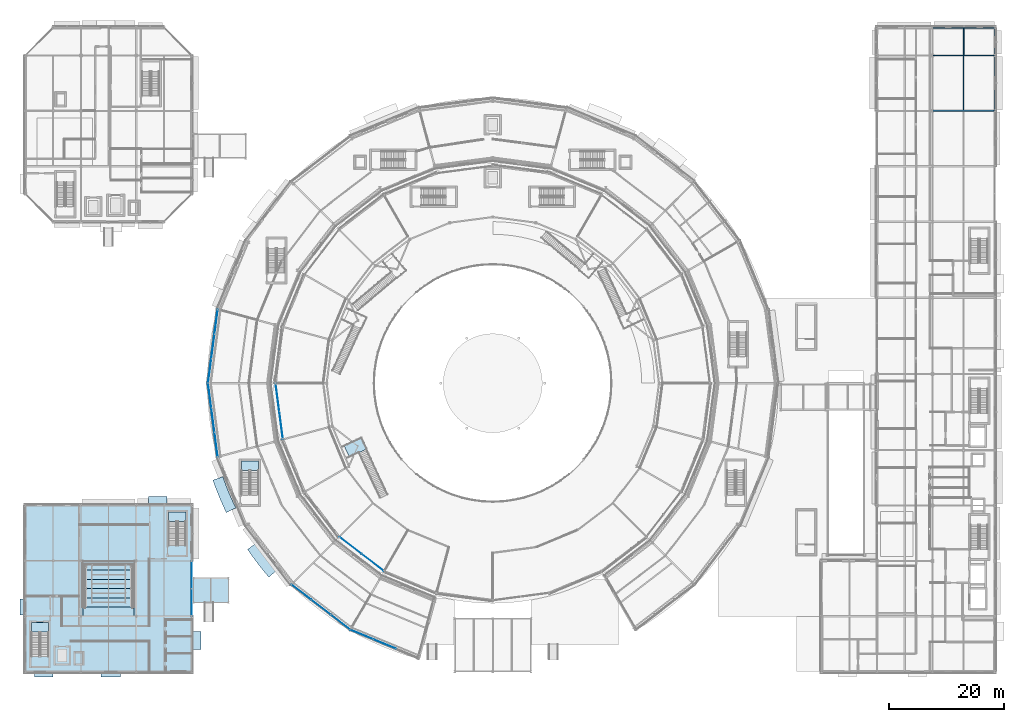
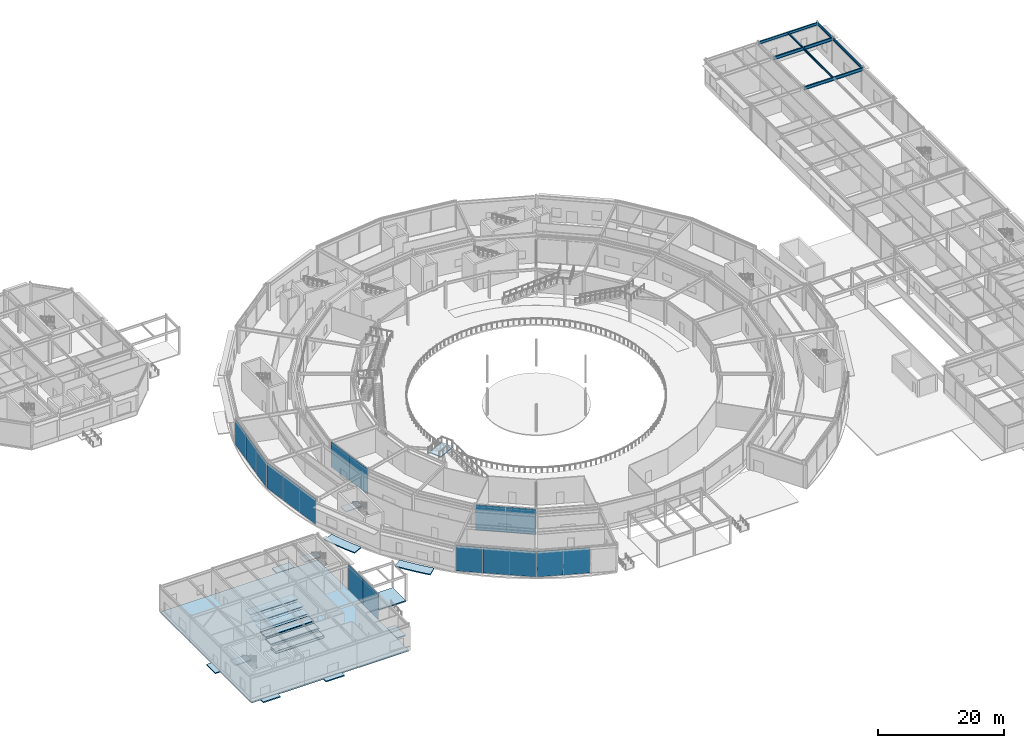
# One storey, part 111 of 168: 19 slabs, 17 plates, 7 beams, 11 elements without a shape of their own.
"""IFC4 building model written with IfcOpenShell, lengths in metres."""

from ifc_helpers import new_model, si_unit, direction, frame, origin, origin_2d, place, context, subcontext, project, spatial, polyline, rectangle, i_section, outline, extrude, material, layer, layer_set, material_profile, profile_set, type_object, element, aggregate, save


model = new_model("IFC4")

# Units and contexts
model_context = context("Model", 3, precision=1e-05, world=origin(), true_north=direction((0.0, 1.0)))
body_context = subcontext(model_context, "Body", "Model", "MODEL_VIEW")
ifc_project = project(units=[si_unit("LENGTHUNIT", "METRE"), si_unit("AREAUNIT", "SQUARE_METRE"), si_unit("VOLUMEUNIT", "CUBIC_METRE"), si_unit("PLANEANGLEUNIT", "RADIAN"), si_unit("MASSUNIT", "GRAM", prefix="KILO")], contexts=[model_context])

# Site, building, storey
site_placement = place(None, origin())
site = spatial("IfcSite", under=ifc_project, at=site_placement, CompositionType="ELEMENT")
building_placement = place(site_placement, origin())
building = spatial("IfcBuilding", under=site, at=building_placement, Name="Almandine Court Research Institute", CompositionType="ELEMENT")
storey_placement = place(building_placement, origin())
storey = spatial("IfcBuildingStorey", under=building, at=storey_placement, Name="L00", CompositionType="ELEMENT", Elevation=0.0)

# Beams
ifc_material_1 = material(Name="Steel ASTM A992 Grade 50", Category="steel")
ifc_material_profile_1 = material_profile(ifc_material_1, i_section(OverallWidth=0.178955078125, OverallDepth=0.409912109375, WebThickness=0.009033203125, FlangeThickness=0.013916015625, at=origin_2d()), Name="W410x67")
ifc_profile_set_1 = profile_set([ifc_material_profile_1], Name="Steel ASTM A992 Grade 50")
beam_type_1 = type_object("IfcBeamType", Name="Beam-B-02", PredefinedType="JOIST", material=ifc_profile_set_1)
beam_1_placement = place(storey_placement, frame((168.60009765625, 103.31298828125, 4.818115234375), z_axis=(0.0, 1.0, 0.0), x_axis=(-1.0, 0.0, 0.0)))
element("IfcBeam", 1, at=beam_1_placement, inside=storey, type_object=beam_type_1, Name="L00 V4 Composite Secondary Beam", PredefinedType="JOIST", context=body_context, shape_type="SweptSolid", body=[
    extrude(i_section(OverallWidth=0.178955078125, OverallDepth=0.409912109375, WebThickness=0.009033203125, FlangeThickness=0.013916015625, at=origin_2d()), origin(), (0.0, 0.0, 1.0), 9.3740234375),
])
ifc_material_profile_2 = material_profile(ifc_material_1, i_section(OverallWidth=0.172119140625, OverallDepth=0.35791015625, WebThickness=0.008056640625, FlangeThickness=0.012939453125, at=origin_2d()), Name="W360x57")
ifc_profile_set_2 = profile_set([ifc_material_profile_2], Name="Steel ASTM A992 Grade 50")
beam_type_2 = type_object("IfcBeamType", Name="Beam-B-03", PredefinedType="JOIST", material=ifc_profile_set_2)
beam_2_placement = place(storey_placement, frame((168.60009765625, 112.9130859375, 4.843994140625), z_axis=(0.0, 1.0, 0.0), x_axis=(-1.0, 0.0, 0.0)))
element("IfcBeam", 2, at=beam_2_placement, inside=storey, type_object=beam_type_2, Name="L00 V4 Composite Secondary Beam", PredefinedType="JOIST", context=body_context, shape_type="SweptSolid", body=[
    extrude(i_section(OverallWidth=0.172119140625, OverallDepth=0.35791015625, WebThickness=0.008056640625, FlangeThickness=0.012939453125, at=origin_2d()), origin(), (0.0, 0.0, 1.0), 4.60595703125),
])
ifc_material_profile_3 = material_profile(ifc_material_1, i_section(OverallWidth=0.22998046875, OverallDepth=0.616943359375, WebThickness=0.012939453125, FlangeThickness=0.02197265625, at=origin_2d()), Name="W610x140")
ifc_profile_set_3 = profile_set([ifc_material_profile_3], Name="Steel ASTM A992 Grade 50")
beam_type_3 = type_object("IfcBeamType", Name="Beam-G-02", PredefinedType="BEAM", material=ifc_profile_set_3)
for number, where, z_axis, x_axis, name in (
    (3, (163.199951171875, 103.199951171875, 4.715087890625), (1.0, 0.0, 0.0), (0.0, 1.0, 0.0), "L00 V4 Primary X Girder"),
    (4, (163.199951171875, 112.800048828125, 4.715087890625), (1.0, 0.0, 0.0), (0.0, 1.0, 0.0), "L00 V4 Primary X Girder"),
):
    element("IfcBeam", number, at=place(storey_placement, frame(where, z_axis=z_axis, x_axis=x_axis)), inside=storey, type_object=beam_type_3, Name=name, PredefinedType="BEAM", context=body_context, shape_type="SweptSolid", body=[
        extrude(i_section(OverallWidth=0.22998046875, OverallDepth=0.616943359375, WebThickness=0.012939453125, FlangeThickness=0.02197265625, at=origin_2d()), origin(), (0.0, 0.0, 1.0), 10.800048828125),
    ])
ifc_material_profile_4 = material_profile(ifc_material_1, i_section(OverallWidth=0.166015625, OverallDepth=0.534912109375, WebThickness=0.010009765625, FlangeThickness=0.01708984375, at=origin_2d()), Name="W530x85")
ifc_profile_set_4 = profile_set([ifc_material_profile_4], Name="Steel ASTM A992 Grade 50")
beam_type_4 = type_object("IfcBeamType", Name="Beam-G-05-E", PredefinedType="SPANDREL", material=ifc_profile_set_4)
beam_3_placement = place(storey_placement, frame((163.199951171875, 117.60009765625, 4.756103515625), z_axis=(1.0, 0.0, 0.0), x_axis=(0.0, 1.0, 0.0)))
element("IfcBeam", 5, at=beam_3_placement, inside=storey, type_object=beam_type_4, Name="L00 V4 Primary X Girder", PredefinedType="SPANDREL", context=body_context, shape_type="SweptSolid", body=[
    extrude(i_section(OverallWidth=0.166015625, OverallDepth=0.534912109375, WebThickness=0.010009765625, FlangeThickness=0.01708984375, at=origin_2d()), origin(), (0.0, 0.0, 1.0), 10.800048828125),
])
ifc_material_profile_5 = material_profile(ifc_material_1, i_section(OverallWidth=0.193115234375, OverallDepth=0.466064453125, WebThickness=0.010986328125, FlangeThickness=0.01904296875, at=origin_2d()), Name="W460x97")
ifc_profile_set_5 = profile_set([ifc_material_profile_5], Name="Steel ASTM A992 Grade 50")
beam_type_5 = type_object("IfcBeamType", Name="Beam-G-06-E", PredefinedType="SPANDREL", material=ifc_profile_set_5)
beam_4_placement = place(storey_placement, frame((174.0, 103.199951171875, 4.7900390625), z_axis=(0.0, 1.0, 0.0), x_axis=(-1.0, 0.0, 0.0)))
element("IfcBeam", 6, at=beam_4_placement, inside=storey, type_object=beam_type_5, Name="L00 V4 Primary Y Girder", PredefinedType="SPANDREL", context=body_context, shape_type="SweptSolid", body=[
    extrude(i_section(OverallWidth=0.193115234375, OverallDepth=0.466064453125, WebThickness=0.010986328125, FlangeThickness=0.01904296875, at=origin_2d()), origin(), (0.0, 0.0, 1.0), 9.60009765625),
])
beam_5_placement = place(storey_placement, frame((174.0, 112.800048828125, 4.7900390625), z_axis=(0.0, 1.0, 0.0), x_axis=(-1.0, 0.0, 0.0)))
element("IfcBeam", 7, at=beam_5_placement, inside=storey, type_object=beam_type_5, Name="L00 V4 Primary Y Girder", PredefinedType="SPANDREL", context=body_context, shape_type="SweptSolid", body=[
    extrude(i_section(OverallWidth=0.193115234375, OverallDepth=0.466064453125, WebThickness=0.010986328125, FlangeThickness=0.01904296875, at=origin_2d()), origin(), (0.0, 0.0, 1.0), 4.800048828125),
])

# Curtain wall, plates
ifc_material_2 = material(Name="Unitised Curtain Wall Framing and Solar Glazing", Category="glass")
curtain_wall_type_1 = type_object("IfcCurtainWallType", Name="CW-CWG-01", PredefinedType="USERDEFINED", material=ifc_material_2)
curtain_wall_1_placement = place(storey_placement, origin())
curtain_wall_1 = element("IfcCurtainWall", 8, at=curtain_wall_1_placement, inside=storey, type_object=curtain_wall_type_1, Name="L00 Lecture Foyer Courtyard Curtain Wall", ObjectType="UNITISED GLAZING", PredefinedType="USERDEFINED")
ifc_material_3 = material(Name="Double-Glazed Low-E Argon Insulated Glass", Category="glass")
ifc_layer_1 = layer(ifc_material_3, 0.028076171875)
ifc_layer_set_1 = layer_set([ifc_layer_1], Name="Double-Glazed Low-E Argon Insulated Glass")
plate_type_1 = type_object("IfcPlateType", Name="CWPnl-GLZ-28", PredefinedType="CURTAIN_PANEL", material=ifc_layer_set_1)
plate_1_placement = place(storey_placement, frame((34.800048828125, 22.782958984375, 0.06005859375), z_axis=(0.0, 0.0, 1.0), x_axis=(0.0, -1.0, 0.0)))
plate_1 = element("IfcPlate", 9, at=plate_1_placement, type_object=plate_type_1, Name="CWG-01 panel 1.1", PredefinedType="CURTAIN_PANEL", context=body_context, shape_type="SweptSolid", body=[
    extrude(rectangle(XDim=4.7060546875, YDim=0.028076171875, at=origin_2d()), origin(), (0.0, 0.0, 1.0), 4.949951171875),
])
plate_2_placement = place(storey_placement, frame((34.800048828125, 18.01708984375, 0.06005859375), z_axis=(0.0, 0.0, 1.0), x_axis=(0.0, -1.0, 0.0)))
plate_2 = element("IfcPlate", 10, at=plate_2_placement, type_object=plate_type_1, Name="CWG-01 panel 2.1", PredefinedType="CURTAIN_PANEL", context=body_context, shape_type="SweptSolid", body=[
    extrude(rectangle(XDim=4.7060546875, YDim=0.028076171875, at=origin_2d()), origin(), (0.0, 0.0, 1.0), 4.949951171875),
])
aggregate(curtain_wall_1, [plate_1, plate_2])

curtain_wall_type_2 = type_object("IfcCurtainWallType", Name="CW-CWG-18", PredefinedType="USERDEFINED", material=ifc_material_2)
curtain_wall_2_placement = place(storey_placement, origin())
curtain_wall_2 = element("IfcCurtainWall", 11, at=curtain_wall_2_placement, inside=storey, type_object=curtain_wall_type_2, Name="L00 Stacked-Ring Drum Outer Unitised Glazing 16", ObjectType="UNITISED GLAZING", PredefinedType="USERDEFINED")
plate_3_placement = place(storey_placement, frame((68.27197265625, 10.787109375, 0.06005859375), z_axis=(0.0, 0.0, 1.0), x_axis=(-0.923888124321, 0.382662689242, 0.0)))
plate_3 = element("IfcPlate", 12, at=plate_3_placement, type_object=plate_type_1, Name="CWG-18 panel 2.1", PredefinedType="CURTAIN_PANEL", context=body_context, shape_type="SweptSolid", body=[
    extrude(rectangle(XDim=4.232666015625, YDim=0.028076171875, at=origin_2d()), origin(), (0.0, 0.0, 1.0), 4.949951171875),
])
plate_4_placement = place(storey_placement, frame((64.31982421875, 12.423828125, 0.06005859375), z_axis=(0.0, 0.0, 1.0), x_axis=(-0.923888124321, 0.382662689242, 0.0)))
plate_4 = element("IfcPlate", 13, at=plate_4_placement, type_object=plate_type_1, Name="CWG-18 panel 3.1", PredefinedType="CURTAIN_PANEL", context=body_context, shape_type="SweptSolid", body=[
    extrude(rectangle(XDim=4.20263671875, YDim=0.028076171875, at=origin_2d()), origin(), (0.0, 0.0, 1.0), 4.949951171875),
])
aggregate(curtain_wall_2, [plate_3, plate_4])

curtain_wall_type_3 = type_object("IfcCurtainWallType", Name="CW-CWG-23", PredefinedType="USERDEFINED", material=ifc_material_2)
curtain_wall_3_placement = place(storey_placement, origin())
curtain_wall_3 = element("IfcCurtainWall", 14, at=curtain_wall_3_placement, inside=storey, type_object=curtain_wall_type_3, Name="L00 Interaction Atrium Perimeter Curtain Wall 12", ObjectType="UNITISED GLAZING", PredefinedType="USERDEFINED")
plate_5_placement = place(storey_placement, frame((50.3095703125, 48.7080078125, 0.06005859375), z_axis=(0.0, 0.0, 1.0), x_axis=(-0.130536164028, 0.991443548509, 0.0)))
plate_5 = element("IfcPlate", 15, at=plate_5_placement, type_object=plate_type_1, Name="CWG-23 panel 1.1", PredefinedType="CURTAIN_PANEL", context=body_context, shape_type="SweptSolid", body=[
    extrude(rectangle(XDim=4.820556640625, YDim=0.028076171875, at=origin_2d()), origin(), (0.0, 0.0, 1.0), 4.949951171875),
])
plate_6_placement = place(storey_placement, frame((49.67236328125, 53.546875, 0.06005859375), z_axis=(0.0, 0.0, 1.0), x_axis=(-0.130536164028, 0.991443548509, 0.0)))
plate_6 = element("IfcPlate", 16, at=plate_6_placement, type_object=plate_type_1, Name="CWG-23 panel 2.1", PredefinedType="CURTAIN_PANEL", context=body_context, shape_type="SweptSolid", body=[
    extrude(rectangle(XDim=4.820556640625, YDim=0.028076171875, at=origin_2d()), origin(), (0.0, 0.0, 1.0), 4.949951171875),
])
aggregate(curtain_wall_3, [plate_5, plate_6])

curtain_wall_4_placement = place(storey_placement, origin())
curtain_wall_4 = element("IfcCurtainWall", 17, at=curtain_wall_4_placement, inside=storey, type_object=curtain_wall_type_3, Name="L00 Interaction Atrium Perimeter Curtain Wall 15", ObjectType="UNITISED GLAZING", PredefinedType="USERDEFINED")
plate_7_placement = place(storey_placement, frame((66.212158203125, 24.89990234375, 0.06005859375), z_axis=(0.0, 0.0, 1.0), x_axis=(-0.793353924979, 0.608760667029, 0.0)))
plate_7 = element("IfcPlate", 18, at=plate_7_placement, type_object=plate_type_1, Name="CWG-23 panel 1.1", PredefinedType="CURTAIN_PANEL", context=body_context, shape_type="SweptSolid", body=[
    extrude(rectangle(XDim=4.82080078125, YDim=0.028076171875, at=origin_2d()), origin(), (0.0, 0.0, 1.0), 4.949951171875),
])
plate_8_placement = place(storey_placement, frame((62.33984375, 27.87109375, 0.06005859375), z_axis=(0.0, 0.0, 1.0), x_axis=(-0.793353924979, 0.608760667029, 0.0)))
plate_8 = element("IfcPlate", 19, at=plate_8_placement, type_object=plate_type_1, Name="CWG-23 panel 2.1", PredefinedType="CURTAIN_PANEL", context=body_context, shape_type="SweptSolid", body=[
    extrude(rectangle(XDim=4.82080078125, YDim=0.028076171875, at=origin_2d()), origin(), (0.0, 0.0, 1.0), 4.949951171875),
])
aggregate(curtain_wall_4, [plate_7, plate_8])

curtain_wall_type_4 = type_object("IfcCurtainWallType", Name="CW-CWJ-17", PredefinedType="USERDEFINED", material=ifc_material_2)
curtain_wall_5_placement = place(storey_placement, origin())
curtain_wall_5 = element("IfcCurtainWall", 20, at=curtain_wall_5_placement, inside=storey, type_object=curtain_wall_type_4, Name="L00 Stacked-Ring Drum Outer Solar Jali Screen 11", ObjectType="SOLAR JALI SCREEN", PredefinedType="USERDEFINED")
ifc_material_4 = material(Name="Perforated Ochre Terracotta Jali Solar Cassette", Category="masonry")
ifc_layer_2 = layer(ifc_material_4, 0.035888671875)
ifc_layer_set_2 = layer_set([ifc_layer_2], Name="Perforated Ochre Terracotta Jali Solar Cassette")
plate_type_2 = type_object("IfcPlateType", Name="CWPnl-JALI-36", PredefinedType="CURTAIN_PANEL", material=ifc_layer_set_2)
plate_9_placement = place(storey_placement, frame((37.92236328125, 58.14794921875, 0.06494140625), z_axis=(0.0, 0.0, 1.0), x_axis=(0.130540891259, 0.991442926098, 0.0)))
plate_9 = element("IfcPlate", 21, at=plate_9_placement, type_object=plate_type_2, Name="CWJ-17 panel 1.1", PredefinedType="CURTAIN_PANEL", context=body_context, shape_type="SweptSolid", body=[
    extrude(rectangle(XDim=4.19482421875, YDim=0.035888671875, at=origin_2d()), origin(), (0.0, 0.0, 1.0), 4.93994140625),
])
plate_10_placement = place(storey_placement, frame((38.48046875, 62.387451171875, 0.06494140625), z_axis=(0.0, 0.0, 1.0), x_axis=(0.130540891259, 0.991442926098, 0.0)))
plate_10 = element("IfcPlate", 22, at=plate_10_placement, type_object=plate_type_2, Name="CWJ-17 panel 2.1", PredefinedType="CURTAIN_PANEL", context=body_context, shape_type="SweptSolid", body=[
    extrude(rectangle(XDim=4.227294921875, YDim=0.035888671875, at=origin_2d()), origin(), (0.0, 0.0, 1.0), 4.93994140625),
])
plate_11_placement = place(storey_placement, frame((39.038818359375, 66.626953125, 0.06494140625), z_axis=(0.0, 0.0, 1.0), x_axis=(0.130540891259, 0.991442926098, 0.0)))
plate_11 = element("IfcPlate", 23, at=plate_11_placement, type_object=plate_type_2, Name="CWJ-17 panel 3.1", PredefinedType="CURTAIN_PANEL", context=body_context, shape_type="SweptSolid", body=[
    extrude(rectangle(XDim=4.19482421875, YDim=0.035888671875, at=origin_2d()), origin(), (0.0, 0.0, 1.0), 4.93994140625),
])
aggregate(curtain_wall_5, [plate_9, plate_10, plate_11])

curtain_wall_6_placement = place(storey_placement, origin())
curtain_wall_6 = element("IfcCurtainWall", 24, at=curtain_wall_6_placement, inside=storey, type_object=curtain_wall_type_4, Name="L00 Stacked-Ring Drum Outer Solar Jali Screen 12", ObjectType="SOLAR JALI SCREEN", PredefinedType="USERDEFINED")
plate_12_placement = place(storey_placement, frame((39.038818359375, 45.373046875, 0.06494140625), z_axis=(0.0, 0.0, 1.0), x_axis=(-0.130540891259, 0.991442926098, 0.0)))
plate_12 = element("IfcPlate", 25, at=plate_12_placement, type_object=plate_type_2, Name="CWJ-17 panel 1.1", PredefinedType="CURTAIN_PANEL", context=body_context, shape_type="SweptSolid", body=[
    extrude(rectangle(XDim=4.19482421875, YDim=0.035888671875, at=origin_2d()), origin(), (0.0, 0.0, 1.0), 4.93994140625),
])
plate_13_placement = place(storey_placement, frame((38.48046875, 49.612548828125, 0.06494140625), z_axis=(0.0, 0.0, 1.0), x_axis=(-0.130540891259, 0.991442926098, 0.0)))
plate_13 = element("IfcPlate", 26, at=plate_13_placement, type_object=plate_type_2, Name="CWJ-17 panel 2.1", PredefinedType="CURTAIN_PANEL", context=body_context, shape_type="SweptSolid", body=[
    extrude(rectangle(XDim=4.227294921875, YDim=0.035888671875, at=origin_2d()), origin(), (0.0, 0.0, 1.0), 4.93994140625),
])
plate_14_placement = place(storey_placement, frame((37.92236328125, 53.85205078125, 0.06494140625), z_axis=(0.0, 0.0, 1.0), x_axis=(-0.130540891259, 0.991442926098, 0.0)))
plate_14 = element("IfcPlate", 27, at=plate_14_placement, type_object=plate_type_2, Name="CWJ-17 panel 3.1", PredefinedType="CURTAIN_PANEL", context=body_context, shape_type="SweptSolid", body=[
    extrude(rectangle(XDim=4.19482421875, YDim=0.035888671875, at=origin_2d()), origin(), (0.0, 0.0, 1.0), 4.93994140625),
])
aggregate(curtain_wall_6, [plate_12, plate_13, plate_14])

curtain_wall_7_placement = place(storey_placement, origin())
curtain_wall_7 = element("IfcCurtainWall", 28, at=curtain_wall_7_placement, inside=storey, type_object=curtain_wall_type_4, Name="L00 Stacked-Ring Drum Outer Solar Jali Screen 15", ObjectType="SOLAR JALI SCREEN", PredefinedType="USERDEFINED")
plate_15_placement = place(storey_placement, frame((60.601318359375, 14.5712890625, 0.06494140625), z_axis=(0.0, 0.0, 1.0), x_axis=(-0.793382586046, 0.608723313303, 0.0)))
plate_15 = element("IfcPlate", 29, at=plate_15_placement, type_object=plate_type_2, Name="CWJ-17 panel 1.1", PredefinedType="CURTAIN_PANEL", context=body_context, shape_type="SweptSolid", body=[
    extrude(rectangle(XDim=4.195068359375, YDim=0.035888671875, at=origin_2d()), origin(), (0.0, 0.0, 1.0), 4.93994140625),
])
plate_16_placement = place(storey_placement, frame((57.20849609375, 17.174560546875, 0.06494140625), z_axis=(0.0, 0.0, 1.0), x_axis=(-0.793382586046, 0.608723313303, 0.0)))
plate_16 = element("IfcPlate", 30, at=plate_16_placement, type_object=plate_type_2, Name="CWJ-17 panel 2.1", PredefinedType="CURTAIN_PANEL", context=body_context, shape_type="SweptSolid", body=[
    extrude(rectangle(XDim=4.2275390625, YDim=0.035888671875, at=origin_2d()), origin(), (0.0, 0.0, 1.0), 4.93994140625),
])
plate_17_placement = place(storey_placement, frame((53.815673828125, 19.777587890625, 0.06494140625), z_axis=(0.0, 0.0, 1.0), x_axis=(-0.793382586046, 0.608723313303, 0.0)))
plate_17 = element("IfcPlate", 31, at=plate_17_placement, type_object=plate_type_2, Name="CWJ-17 panel 3.1", PredefinedType="CURTAIN_PANEL", context=body_context, shape_type="SweptSolid", body=[
    extrude(rectangle(XDim=4.195068359375, YDim=0.035888671875, at=origin_2d()), origin(), (0.0, 0.0, 1.0), 4.93994140625),
])
aggregate(curtain_wall_7, [plate_15, plate_16, plate_17])

# Slabs
ifc_material_5 = material(Name="Concrete C35/45", Category="concrete")
ifc_layer_3 = layer(ifc_material_5, 0.25)
ifc_layer_set_3 = layer_set([ifc_layer_3], Name="Concrete C35/45")
slab_type_1 = type_object("IfcSlabType", Name="Slab-BS-250", PredefinedType="BASESLAB", material=ifc_layer_set_3)
slab_1_placement = place(storey_placement, frame((0.0, 0.0, -0.25)))
element("IfcSlab", 32, at=slab_1_placement, inside=storey, type_object=slab_type_1, Name="L00 Volume 1 Lecture Pavilion Structural Slab", PredefinedType="BASESLAB", context=body_context, shape_type="SweptSolid", body=[
    extrude(outline(polyline([(6.0, 6.0), (34.800048828125, 6.0), (34.800048828125, 34.800048828125), (6.0, 34.800048828125), (6.0, 6.0)])), origin(), (0.0, 0.0, 1.0), 0.25),
])
ifc_layer_4 = layer(ifc_material_5, 0.199951171875)
ifc_layer_set_4 = layer_set([ifc_layer_4], Name="Concrete C35/45")
slab_type_2 = type_object("IfcSlabType", Name="Slab-BS-EXT-200", PredefinedType="BASESLAB", material=ifc_layer_set_4)
slab_2_placement = place(storey_placement, frame((0.0, 0.0, -0.199951171875)))
element("IfcSlab", 33, at=slab_2_placement, inside=storey, type_object=slab_type_2, Name="L00 Southwest Covered Dalan Passage Walkway Slab", PredefinedType="BASESLAB", context=body_context, shape_type="SweptSolid", body=[
    extrude(outline(polyline([(35.10009765625, 18.0), (41.199951171875, 18.0), (41.199951171875, 22.199951171875), (35.10009765625, 22.199951171875), (35.10009765625, 18.0)])), origin(), (0.0, 0.0, 1.0), 0.199951171875),
])
slab_3_placement = place(storey_placement, frame((0.0, 0.0, -0.199951171875)))
element("IfcSlab", 34, at=slab_3_placement, inside=storey, type_object=slab_type_2, Name="L00 Boulevard and Courtyard Paved Exit Apron PAD-V1-S1", PredefinedType="BASESLAB", context=body_context, shape_type="SweptSolid", body=[
    extrude(outline(polyline([(10.7880859375, 5.985107421875), (10.800048828125, 5.972900390625), (10.800048828125, 5.06201171875), (10.791015625, 5.051025390625), (7.612060546875, 5.050048828125), (7.60107421875, 5.05908203125), (7.60009765625, 5.972900390625), (7.60888671875, 5.98388671875), (10.7880859375, 5.985107421875)])), origin(), (0.0, 0.0, 1.0), 0.199951171875),
])
slab_4_placement = place(storey_placement, frame((0.0, 0.0, -0.199951171875)))
element("IfcSlab", 35, at=slab_4_placement, inside=storey, type_object=slab_type_2, Name="L00 Boulevard and Courtyard Paved Exit Apron PAD-V1-W2", PredefinedType="BASESLAB", context=body_context, shape_type="SweptSolid", body=[
    extrude(outline(polyline([(5.972900390625, 18.60009765625), (5.985107421875, 18.587890625), (5.98388671875, 15.80908203125), (5.972900390625, 15.800048828125), (5.05908203125, 15.801025390625), (5.050048828125, 15.81201171875), (5.051025390625, 18.591064453125), (5.06201171875, 18.60009765625), (5.972900390625, 18.60009765625)])), origin(), (0.0, 0.0, 1.0), 0.199951171875),
])
slab_5_placement = place(storey_placement, frame((0.0, 0.0, -0.199951171875)))
element("IfcSlab", 36, at=slab_5_placement, inside=storey, type_object=slab_type_2, Name="L00 Boulevard and Courtyard Paved Exit Apron PAD-V1-S2", PredefinedType="BASESLAB", context=body_context, shape_type="SweptSolid", body=[
    extrude(outline(polyline([(22.488037109375, 5.985107421875), (22.5, 5.972900390625), (22.5, 5.06201171875), (22.490966796875, 5.051025390625), (19.112060546875, 5.050048828125), (19.10107421875, 5.05908203125), (19.10009765625, 5.972900390625), (19.10888671875, 5.98388671875), (22.488037109375, 5.985107421875)])), origin(), (0.0, 0.0, 1.0), 0.199951171875),
])
slab_6_placement = place(storey_placement, frame((0.0, 0.0, -0.199951171875)))
element("IfcSlab", 37, at=slab_6_placement, inside=storey, type_object=slab_type_2, Name="L00 Boulevard and Courtyard Paved Exit Apron PAD-V1-E1", PredefinedType="BASESLAB", context=body_context, shape_type="SweptSolid", body=[
    extrude(outline(polyline([(36.39990234375, 9.81201171875), (36.387939453125, 9.800048828125), (34.826904296875, 9.800048828125), (34.81591796875, 9.805908203125), (34.81494140625, 12.988037109375), (34.821044921875, 12.9990234375), (36.387939453125, 13.0), (36.39892578125, 12.993896484375), (36.39990234375, 9.81201171875)])), origin(), (0.0, 0.0, 1.0), 0.199951171875),
])
slab_7_placement = place(storey_placement, frame((0.0, 0.0, -0.199951171875)))
element("IfcSlab", 38, at=slab_7_placement, inside=storey, type_object=slab_type_2, Name="L00 Boulevard and Courtyard Paved Exit Apron PAD-V1-N3", PredefinedType="BASESLAB", context=body_context, shape_type="SweptSolid", body=[
    extrude(outline(polyline([(30.488037109375, 36.39990234375), (30.5, 36.387939453125), (30.5, 34.826904296875), (30.493896484375, 34.81591796875), (27.31201171875, 34.81494140625), (27.301025390625, 34.821044921875), (27.300048828125, 36.387939453125), (27.305908203125, 36.39892578125), (30.488037109375, 36.39990234375)])), origin(), (0.0, 0.0, 1.0), 0.199951171875),
])
slab_8_placement = place(storey_placement, frame((0.0, 0.0, -0.199951171875)))
element("IfcSlab", 39, at=slab_8_placement, inside=storey, type_object=slab_type_2, Name="L00 Boulevard and Courtyard Paved Exit Apron PAD-DRUM-S13", PredefinedType="BASESLAB", context=body_context, shape_type="SweptSolid", body=[
    extrude(outline(polyline([(40.373046875, 34.488037109375), (39.95703125, 35.4150390625), (39.55908203125, 36.34912109375), (39.178955078125, 37.291015625), (38.819091796875, 38.240966796875), (38.47998046875, 39.18896484375), (38.488037109375, 39.200927734375), (40.212890625, 39.798095703125), (40.22509765625, 39.7900390625), (40.470947265625, 39.06494140625), (41.25390625, 37.051025390625), (42.1240234375, 35.073974609375), (42.464111328125, 34.382080078125), (42.45703125, 34.37109375), (40.81298828125, 33.573974609375), (40.802978515625, 33.5810546875), (40.373046875, 34.488037109375)])), origin(), (0.0, 0.0, 1.0), 0.199951171875),
])
slab_9_placement = place(storey_placement, frame((0.0, 0.0, -0.199951171875)))
element("IfcSlab", 40, at=slab_9_placement, inside=storey, type_object=slab_type_2, Name="L00 Boulevard and Courtyard Paved Exit Apron PAD-DRUM-S14", PredefinedType="BASESLAB", context=body_context, shape_type="SweptSolid", body=[
    extrude(outline(polyline([(47.530029296875, 23.153076171875), (46.887939453125, 23.93994140625), (46.260986328125, 24.739990234375), (45.65087890625, 25.552001953125), (45.056884765625, 26.3759765625), (44.48388671875, 27.2041015625), (44.489013671875, 27.218017578125), (46.0009765625, 28.240966796875), (46.013916015625, 28.236083984375), (46.43994140625, 27.59912109375), (47.717041015625, 25.85693359375), (49.069091796875, 24.173095703125), (49.576904296875, 23.591064453125), (49.572998046875, 23.580078125), (48.19091796875, 22.384033203125), (48.178955078125, 22.387939453125), (47.530029296875, 23.153076171875)])), origin(), (0.0, 0.0, 1.0), 0.199951171875),
])

# Stair, slab
stair_type_1 = type_object("IfcStairType", Name="Stair-Core-30R", PredefinedType="HALF_TURN_STAIR", material=ifc_material_5)
stair_1_placement = place(storey_placement, origin())
stair_1 = element("IfcStair", 41, at=stair_1_placement, inside=storey, type_object=stair_type_1, Name="L00 Volume 1 Southwest Exit Stair", PredefinedType="HALF_TURN_STAIR")
ifc_layer_5 = layer(ifc_material_5, 0.179931640625)
ifc_layer_set_5 = layer_set([ifc_layer_5], Name="Concrete C35/45")
slab_type_3 = type_object("IfcSlabType", Name="Slab-Landing-180", PredefinedType="LANDING", material=ifc_layer_set_5)
slab_10_placement = place(storey_placement, frame((0.0, 0.0, 2.445068359375)))
slab_10 = element("IfcSlab", 42, at=slab_10_placement, type_object=slab_type_3, Name="ST-01 landing 1", PredefinedType="LANDING", context=body_context, shape_type="SweptSolid", body=[
    extrude(outline(polyline([(10.0, 12.85009765625), (10.0, 14.5), (7.0, 14.5), (7.0, 12.85009765625), (10.0, 12.85009765625)])), origin(), (0.0, 0.0, 1.0), 0.179931640625),
])
aggregate(stair_1, [slab_10])

stair_2_placement = place(storey_placement, origin())
stair_2 = element("IfcStair", 43, at=stair_2_placement, inside=storey, type_object=stair_type_1, Name="L00 Volume 1 Northeast Exit Stair", PredefinedType="HALF_TURN_STAIR")
slab_11_placement = place(storey_placement, frame((0.0, 0.0, 2.445068359375)))
slab_11 = element("IfcSlab", 44, at=slab_11_placement, type_object=slab_type_3, Name="ST-02 landing 1", PredefinedType="LANDING", context=body_context, shape_type="SweptSolid", body=[
    extrude(outline(polyline([(33.800048828125, 32.050048828125), (33.800048828125, 33.699951171875), (30.800048828125, 33.699951171875), (30.800048828125, 32.050048828125), (33.800048828125, 32.050048828125)])), origin(), (0.0, 0.0, 1.0), 0.179931640625),
])
aggregate(stair_2, [slab_11])

stair_3_placement = place(storey_placement, origin())
stair_3 = element("IfcStair", 45, at=stair_3_placement, inside=storey, type_object=stair_type_1, Name="L00 Drum Southwest Exit Stair", PredefinedType="HALF_TURN_STAIR")
slab_12_placement = place(storey_placement, frame((0.0, 0.0, 2.445068359375)))
slab_12 = element("IfcSlab", 46, at=slab_12_placement, type_object=slab_type_3, Name="ST-17 landing 1", PredefinedType="LANDING", context=body_context, shape_type="SweptSolid", body=[
    extrude(outline(polyline([(46.39990234375, 40.85009765625), (46.39990234375, 42.5), (43.39990234375, 42.5), (43.39990234375, 40.85009765625), (46.39990234375, 40.85009765625)])), origin(), (0.0, 0.0, 1.0), 0.179931640625),
])
aggregate(stair_3, [slab_12])

ifc_material_6 = material(Name="Steel ASTM A500 Grade C", Category="steel")
stair_type_2 = type_object("IfcStairType", Name="Stair-Feat-30R", PredefinedType="STRAIGHT_RUN_STAIR", material=ifc_material_6)
stair_4_placement = place(storey_placement, origin())
stair_4 = element("IfcStair", 47, at=stair_4_placement, inside=storey, type_object=stair_type_2, Name="L00 Interaction Atrium Feature Stair ST-AT-05", PredefinedType="STRAIGHT_RUN_STAIR")
slab_13_placement = place(storey_placement, frame((0.0, 0.0, 5.070068359375)))
slab_13 = element("IfcSlab", 48, at=slab_13_placement, type_object=slab_type_3, Name="ST-AT-05 landing 1", PredefinedType="LANDING", context=body_context, shape_type="SweptSolid", body=[
    extrude(outline(polyline([(65.215087890625, 44.6279296875), (62.134033203125, 43.19091796875), (61.2041015625, 45.18505859375), (64.284912109375, 46.6220703125), (65.215087890625, 44.6279296875)])), origin(), (0.0, 0.0, 1.0), 0.179931640625),
])
aggregate(stair_4, [slab_13])

# Slabs
ifc_layer_6 = layer(ifc_material_5, 0.159912109375)
ifc_layer_set_6 = layer_set([ifc_layer_6], Name="Concrete C35/45")
slab_type_4 = type_object("IfcSlabType", Name="Slab-TIER-160", PredefinedType="USERDEFINED", material=ifc_layer_set_6)
slab_14_placement = place(storey_placement, frame((0.0, 0.0, 0.739990234375)))
element("IfcSlab", 49, at=slab_14_placement, inside=storey, type_object=slab_type_4, Name="L00 Lecture Theatre Stepped Seating Tier 2", ObjectType="SEATING TIER", PredefinedType="USERDEFINED", context=body_context, shape_type="SweptSolid", body=[
    extrude(outline(polyline([(16.0, 17.199951171875), (24.800048828125, 17.199951171875), (24.800048828125, 18.800048828125), (16.0, 18.800048828125), (16.0, 17.199951171875)])), origin(), (0.0, 0.0, 1.0), 0.159912109375),
])
slab_15_placement = place(storey_placement, frame((0.0, 0.0, 1.18994140625)))
element("IfcSlab", 50, at=slab_15_placement, inside=storey, type_object=slab_type_4, Name="L00 Lecture Theatre Stepped Seating Tier 3", ObjectType="SEATING TIER", PredefinedType="USERDEFINED", context=body_context, shape_type="SweptSolid", body=[
    extrude(outline(polyline([(16.0, 18.800048828125), (24.800048828125, 18.800048828125), (24.800048828125, 20.39990234375), (16.0, 20.39990234375), (16.0, 18.800048828125)])), origin(), (0.0, 0.0, 1.0), 0.16015625),
])
slab_16_placement = place(storey_placement, frame((0.0, 0.0, 1.639892578125)))
element("IfcSlab", 51, at=slab_16_placement, inside=storey, type_object=slab_type_4, Name="L00 Lecture Theatre Stepped Seating Tier 4", ObjectType="SEATING TIER", PredefinedType="USERDEFINED", context=body_context, shape_type="SweptSolid", body=[
    extrude(outline(polyline([(16.0, 20.39990234375), (24.800048828125, 20.39990234375), (24.800048828125, 22.0), (16.0, 22.0), (16.0, 20.39990234375)])), origin(), (0.0, 0.0, 1.0), 0.16015625),
])
slab_17_placement = place(storey_placement, frame((0.0, 0.0, 2.090087890625)))
element("IfcSlab", 52, at=slab_17_placement, inside=storey, type_object=slab_type_4, Name="L00 Lecture Theatre Stepped Seating Tier 5", ObjectType="SEATING TIER", PredefinedType="USERDEFINED", context=body_context, shape_type="SweptSolid", body=[
    extrude(outline(polyline([(16.0, 22.0), (24.800048828125, 22.0), (24.800048828125, 23.60009765625), (16.0, 23.60009765625), (16.0, 22.0)])), origin(), (0.0, 0.0, 1.0), 0.159912109375),
])
slab_18_placement = place(storey_placement, frame((0.0, 0.0, 2.5400390625)))
element("IfcSlab", 53, at=slab_18_placement, inside=storey, type_object=slab_type_4, Name="L00 Lecture Theatre Stepped Seating Tier 6", ObjectType="SEATING TIER", PredefinedType="USERDEFINED", context=body_context, shape_type="SweptSolid", body=[
    extrude(outline(polyline([(16.0, 23.60009765625), (24.800048828125, 23.60009765625), (24.800048828125, 25.199951171875), (16.0, 25.199951171875), (16.0, 23.60009765625)])), origin(), (0.0, 0.0, 1.0), 0.159912109375),
])
ifc_layer_7 = layer(ifc_material_5, 0.449951171875)
ifc_layer_set_7 = layer_set([ifc_layer_7], Name="Concrete C35/45")
slab_type_5 = type_object("IfcSlabType", Name="Slab-TIER-450", PredefinedType="USERDEFINED", material=ifc_layer_set_7)
slab_19_placement = place(storey_placement, origin())
element("IfcSlab", 54, at=slab_19_placement, inside=storey, type_object=slab_type_5, Name="L00 Lecture Theatre Stepped Seating Tier 1", ObjectType="SEATING TIER", PredefinedType="USERDEFINED", context=body_context, shape_type="SweptSolid", body=[
    extrude(outline(polyline([(16.0, 15.60009765625), (24.800048828125, 15.60009765625), (24.800048828125, 17.199951171875), (16.0, 17.199951171875), (16.0, 15.60009765625)])), origin(), (0.0, 0.0, 1.0), 0.449951171875),
])

save(model, "model.ifc")
